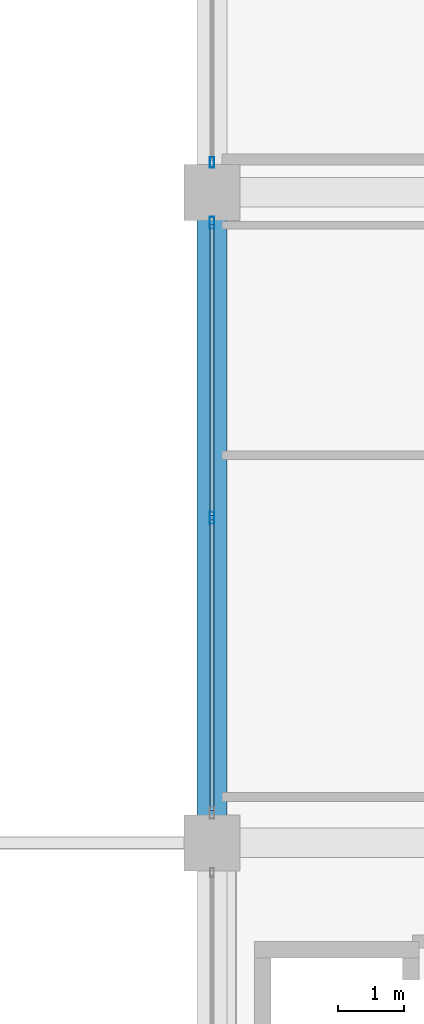
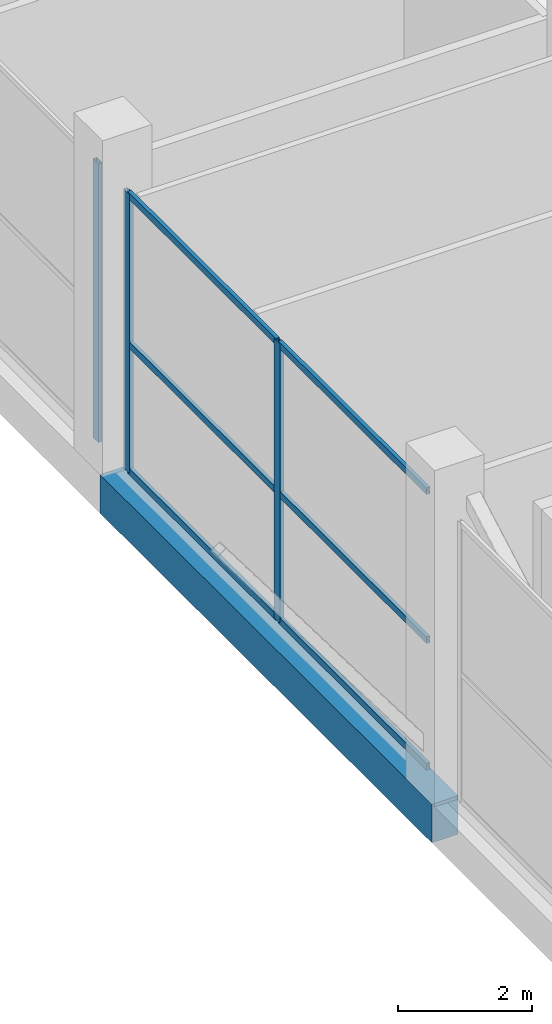
# One storey, part 4 of 46: 9 members, 1 beam, 2 elements without a shape of their own.
"""IFC4 building model written with IfcOpenShell, lengths in metres."""

from ifc_helpers import new_model, si_unit, direction, frame, origin, origin_2d, place, context, subcontext, project, spatial, rectangle, hollow_rectangle, extrude, material, layer, layer_set, material_profile, profile_set, type_object, element, aggregate, save


model = new_model("IFC4")

# Units and contexts
model_context = context("Model", 3, precision=1e-05, world=origin(), true_north=direction((0.0, 1.0)))
body_context = subcontext(model_context, "Body", "Model", "MODEL_VIEW")
ifc_project = project(units=[si_unit("LENGTHUNIT", "METRE"), si_unit("AREAUNIT", "SQUARE_METRE"), si_unit("VOLUMEUNIT", "CUBIC_METRE"), si_unit("PLANEANGLEUNIT", "RADIAN"), si_unit("MASSUNIT", "GRAM", prefix="KILO")], contexts=[model_context])

# Site, building, storey
site_placement = place(None, origin())
site = spatial("IfcSite", under=ifc_project, at=site_placement, CompositionType="ELEMENT")
building_placement = place(site_placement, origin())
building = spatial("IfcBuilding", under=site, at=building_placement, Name="Sillaruma Civic Art Gallery", CompositionType="ELEMENT")
storey_placement = place(building_placement, frame((0.0, 0.0, 16.320068359375)))
storey = spatial("IfcBuildingStorey", under=building, at=storey_placement, Name="L03", CompositionType="ELEMENT", Elevation=16.320068359375)

# Beam
ifc_material_1 = material(Name="Concrete H35 (35 MPa)", Category="concrete")
ifc_material_profile_1 = material_profile(ifc_material_1, rectangle(XDim=0.449951171875, YDim=0.699951171875, at=origin_2d()), Name="RCB450x700")
ifc_profile_set_1 = profile_set([ifc_material_profile_1], Name="Concrete H35 (35 MPa)")
beam_type = type_object("IfcBeamType", Name="BM-SPANDREL-RCB450x700", PredefinedType="SPANDREL", material=ifc_profile_set_1)
beam_placement = place(storey_placement, frame((62.0, 49.5, -0.630126953125), z_axis=(0.0, 1.0, 0.0), x_axis=(-1.0, 0.0, 0.0)))
element("IfcBeam", 1, at=beam_placement, inside=storey, type_object=beam_type, Name="Beam BS-03 (L02:F:6-7)", PredefinedType="SPANDREL", context=body_context, shape_type="SweptSolid", body=[
    extrude(rectangle(XDim=0.449951171875, YDim=0.699951171875, at=origin_2d()), origin(), (0.0, 0.0, 1.0), 9.89990234375),
])

# Curtain wall, member
ifc_material_2 = material(Name="Thermally Broken Extruded Aluminium 6063-T6", Category="aluminium")
ifc_layer_1 = layer(ifc_material_2, 0.159912109375, Name="Thermally Broken Extruded Aluminium 6063-T6")
ifc_layer_set_1 = layer_set([ifc_layer_1], Name="Thermally Broken Extruded Aluminium 6063-T6")
curtain_wall_type_1 = type_object("IfcCurtainWallType", Name="CW-UNI-23", PredefinedType="NOTDEFINED", material=ifc_layer_set_1)
curtain_wall_1_placement = place(storey_placement, origin())
curtain_wall_1 = element("IfcCurtainWall", 2, at=curtain_wall_1_placement, inside=storey, type_object=curtain_wall_type_1, Name="Unitised Curtain Wall CW-23 (CW-L03-W-5)", PredefinedType="NOTDEFINED")
ifc_material_profile_2 = material_profile(ifc_material_2, hollow_rectangle(XDim=0.06494140625, YDim=0.159912109375, WallThickness=0.00390625, at=origin_2d()), Name="CWM65x160")
ifc_profile_set_2 = profile_set([ifc_material_profile_2], Name="Thermally Broken Extruded Aluminium 6063-T6")
member_type_1 = type_object("IfcMemberType", Name="MEM-MUL-CWM65x160", PredefinedType="MULLION", material=ifc_profile_set_2)
member_1_placement = place(storey_placement, frame((62.0, 59.857421875, 0.0), z_axis=(0.0, 0.0, 1.0), x_axis=(-1.0, 0.0, 0.0)))
member_1 = element("IfcMember", 3, at=member_1_placement, type_object=member_type_1, Name="CW-23 mullion 1", PredefinedType="MULLION", context=body_context, shape_type="SweptSolid", body=[
    extrude(hollow_rectangle(XDim=0.06494140625, YDim=0.159912109375, WallThickness=0.00390625, at=origin_2d()), origin(), (0.0, 0.0, 1.0), 5.079833984375),
])
aggregate(curtain_wall_1, [member_1])

# Curtain wall, members
ifc_layer_2 = layer(ifc_material_2, 0.179931640625, Name="Thermally Broken Extruded Aluminium 6063-T6")
ifc_layer_set_2 = layer_set([ifc_layer_2], Name="Thermally Broken Extruded Aluminium 6063-T6")
curtain_wall_type_2 = type_object("IfcCurtainWallType", Name="CW-UNI-21", PredefinedType="NOTDEFINED", material=ifc_layer_set_2)
curtain_wall_2_placement = place(storey_placement, origin())
curtain_wall_2 = element("IfcCurtainWall", 4, at=curtain_wall_2_placement, inside=storey, type_object=curtain_wall_type_2, Name="Unitised Curtain Wall CW-21 (CW-L03-W-4)", PredefinedType="NOTDEFINED")
ifc_material_profile_3 = material_profile(ifc_material_2, hollow_rectangle(XDim=0.070068359375, YDim=0.179931640625, WallThickness=0.00390625, at=origin_2d()), Name="CWM70x180")
ifc_profile_set_3 = profile_set([ifc_material_profile_3], Name="Thermally Broken Extruded Aluminium 6063-T6")
member_type_2 = type_object("IfcMemberType", Name="MEM-MUL-CWM70x180", PredefinedType="MULLION", material=ifc_profile_set_3)
member_2_placement = place(storey_placement, frame((62.0, 54.449951171875, 0.0), z_axis=(0.0, 0.0, 1.0), x_axis=(-1.0, 0.0, 0.0)))
member_2 = element("IfcMember", 5, at=member_2_placement, type_object=member_type_2, Name="CW-21 mullion 2", PredefinedType="MULLION", context=body_context, shape_type="SweptSolid", body=[
    extrude(hollow_rectangle(XDim=0.070068359375, YDim=0.179931640625, WallThickness=0.00390625, at=origin_2d()), origin(), (0.0, 0.0, 1.0), 5.079833984375),
])
member_3_placement = place(storey_placement, frame((62.0, 58.93994140625, 0.0), z_axis=(0.0, 0.0, 1.0), x_axis=(-1.0, 0.0, 0.0)))
member_3 = element("IfcMember", 6, at=member_3_placement, type_object=member_type_2, Name="CW-21 mullion 3", PredefinedType="MULLION", context=body_context, shape_type="SweptSolid", body=[
    extrude(hollow_rectangle(XDim=0.070068359375, YDim=0.179931640625, WallThickness=0.00390625, at=origin_2d()), origin(), (0.0, 0.0, 1.0), 5.079833984375),
])
ifc_material_profile_4 = material_profile(ifc_material_2, hollow_rectangle(XDim=0.06494140625, YDim=0.1201171875, WallThickness=0.00341796875, at=origin_2d()), Name="CWT65x120")
ifc_profile_set_4 = profile_set([ifc_material_profile_4], Name="Thermally Broken Extruded Aluminium 6063-T6")
member_type_3 = type_object("IfcMemberType", Name="MEM-TRN-CWT65x120", PredefinedType="USERDEFINED", material=ifc_profile_set_4)
member_4_placement = place(storey_placement, frame((62.0, 49.9951171875, 0.032470703125), z_axis=(0.0, 1.0, 0.0), x_axis=(-1.0, 0.0, 0.0)))
member_4 = element("IfcMember", 7, at=member_4_placement, type_object=member_type_3, Name="CW-21 transom 1.1", ObjectType="TRANSOM", PredefinedType="USERDEFINED", context=body_context, shape_type="SweptSolid", body=[
    extrude(hollow_rectangle(XDim=0.06494140625, YDim=0.1201171875, WallThickness=0.00341796875, at=origin_2d()), origin(), (0.0, 0.0, 1.0), 4.419921875),
])
member_5_placement = place(storey_placement, frame((62.0, 49.9951171875, 2.336669921875), z_axis=(0.0, 1.0, 0.0), x_axis=(-1.0, 0.0, 0.0)))
member_5 = element("IfcMember", 8, at=member_5_placement, type_object=member_type_3, Name="CW-21 transom 1.2", ObjectType="TRANSOM", PredefinedType="USERDEFINED", context=body_context, shape_type="SweptSolid", body=[
    extrude(hollow_rectangle(XDim=0.06494140625, YDim=0.1201171875, WallThickness=0.00341796875, at=origin_2d()), origin(), (0.0, 0.0, 1.0), 4.419921875),
])
member_6_placement = place(storey_placement, frame((62.0, 49.9951171875, 5.04736328125), z_axis=(0.0, 1.0, 0.0), x_axis=(-1.0, 0.0, 0.0)))
member_6 = element("IfcMember", 9, at=member_6_placement, type_object=member_type_3, Name="CW-21 transom 1.3", ObjectType="TRANSOM", PredefinedType="USERDEFINED", context=body_context, shape_type="SweptSolid", body=[
    extrude(hollow_rectangle(XDim=0.06494140625, YDim=0.1201171875, WallThickness=0.00341796875, at=origin_2d()), origin(), (0.0, 0.0, 1.0), 4.419921875),
])
member_7_placement = place(storey_placement, frame((62.0, 54.485107421875, 0.032470703125), z_axis=(0.0, 1.0, 0.0), x_axis=(-1.0, 0.0, 0.0)))
member_7 = element("IfcMember", 10, at=member_7_placement, type_object=member_type_3, Name="CW-21 transom 2.1", ObjectType="TRANSOM", PredefinedType="USERDEFINED", context=body_context, shape_type="SweptSolid", body=[
    extrude(hollow_rectangle(XDim=0.06494140625, YDim=0.1201171875, WallThickness=0.00341796875, at=origin_2d()), origin(), (0.0, 0.0, 1.0), 4.419921875),
])
member_8_placement = place(storey_placement, frame((62.0, 54.485107421875, 2.336669921875), z_axis=(0.0, 1.0, 0.0), x_axis=(-1.0, 0.0, 0.0)))
member_8 = element("IfcMember", 11, at=member_8_placement, type_object=member_type_3, Name="CW-21 transom 2.2", ObjectType="TRANSOM", PredefinedType="USERDEFINED", context=body_context, shape_type="SweptSolid", body=[
    extrude(hollow_rectangle(XDim=0.06494140625, YDim=0.1201171875, WallThickness=0.00341796875, at=origin_2d()), origin(), (0.0, 0.0, 1.0), 4.419921875),
])
member_9_placement = place(storey_placement, frame((62.0, 54.485107421875, 5.04736328125), z_axis=(0.0, 1.0, 0.0), x_axis=(-1.0, 0.0, 0.0)))
member_9 = element("IfcMember", 12, at=member_9_placement, type_object=member_type_3, Name="CW-21 transom 2.3", ObjectType="TRANSOM", PredefinedType="USERDEFINED", context=body_context, shape_type="SweptSolid", body=[
    extrude(hollow_rectangle(XDim=0.06494140625, YDim=0.1201171875, WallThickness=0.00341796875, at=origin_2d()), origin(), (0.0, 0.0, 1.0), 4.419921875),
])
aggregate(curtain_wall_2, [member_2, member_3, member_4, member_5, member_6, member_7, member_8, member_9])

save(model, "model.ifc")
